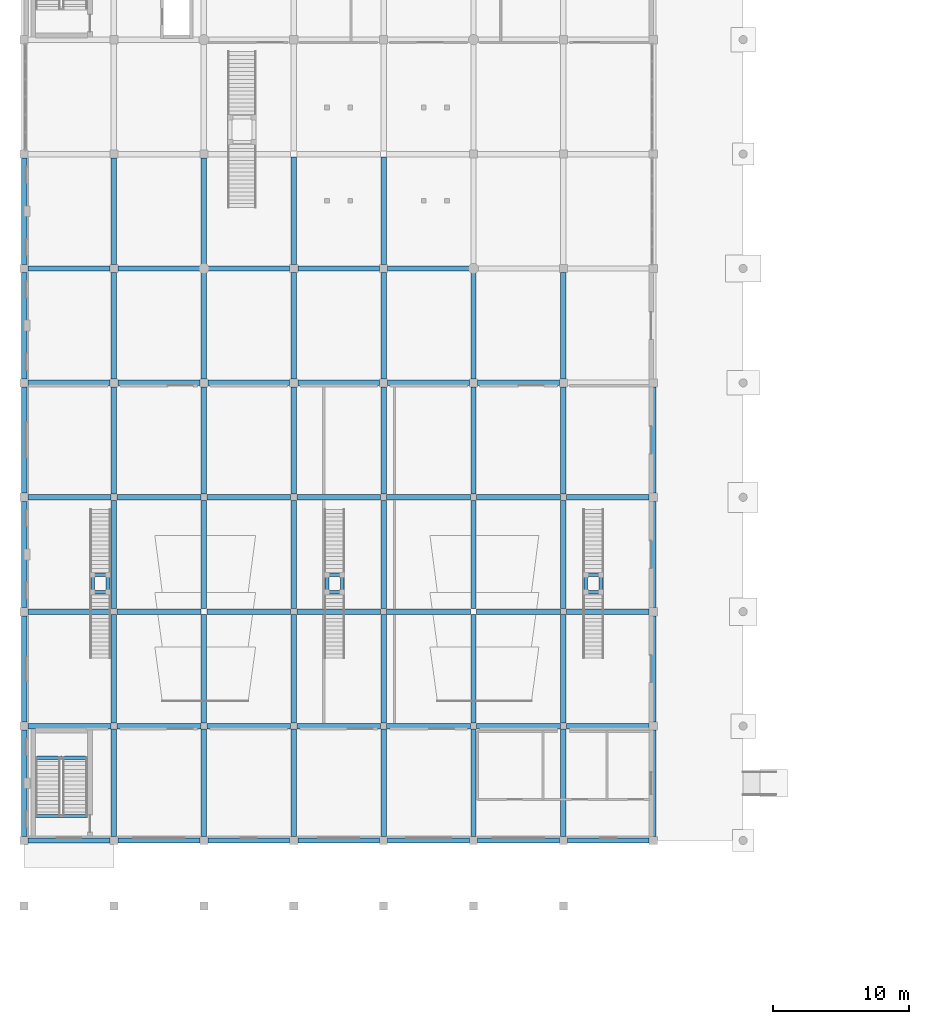
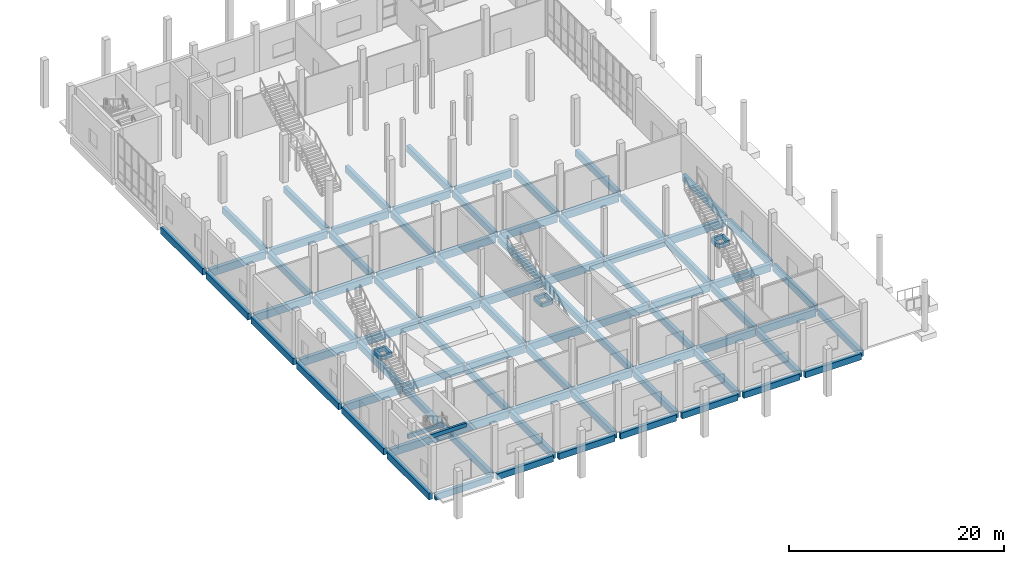
# One storey, part 4 of 64: 97 beams.
"""IFC4 building model written with IfcOpenShell, lengths in metres."""

from ifc_helpers import new_model, si_unit, direction, frame, origin, origin_2d, place, context, subcontext, project, spatial, rectangle, extrude, material, material_profile, profile_set, type_object, element, save


model = new_model("IFC4")

# Units and contexts
model_context = context("Model", 3, precision=1e-05, world=origin(), true_north=direction((0.0, 1.0)))
body_context = subcontext(model_context, "Body", "Model", "MODEL_VIEW")
ifc_project = project(units=[si_unit("LENGTHUNIT", "METRE"), si_unit("AREAUNIT", "SQUARE_METRE"), si_unit("VOLUMEUNIT", "CUBIC_METRE"), si_unit("PLANEANGLEUNIT", "RADIAN"), si_unit("MASSUNIT", "GRAM", prefix="KILO")], contexts=[model_context])

# Site, building, storey
site_placement = place(None, origin())
site = spatial("IfcSite", under=ifc_project, at=site_placement, CompositionType="ELEMENT")
building_placement = place(site_placement, origin())
building = spatial("IfcBuilding", under=site, at=building_placement, Name="Qaldarim Faculty of Natural and Applied Sciences", CompositionType="ELEMENT")
storey_placement = place(building_placement, origin())
storey = spatial("IfcBuildingStorey", under=building, at=storey_placement, Name="L00", CompositionType="ELEMENT", Elevation=0.0)

# Beams
ifc_material_1 = material(Name="Concrete C50/60", Category="concrete")
ifc_material_profile_1 = material_profile(ifc_material_1, rectangle(XDim=0.39990234375, YDim=0.75, at=origin_2d()), Name="RC-B400x750")
ifc_profile_set_1 = profile_set([ifc_material_profile_1], Name="Concrete C50/60")
beam_type_1 = type_object("IfcBeamType", Name="LabGirder-RC400x750", PredefinedType="BEAM", material=ifc_profile_set_1)
beam_1_placement = place(storey_placement, frame((0.0, 17.10009765625, -0.735107421875), z_axis=(0.0, 1.0, 0.0), x_axis=(-1.0, 0.0, 0.0)))
element("IfcBeam", 1, at=beam_1_placement, inside=storey, type_object=beam_type_1, Name="Beam RC-B400x750 B01 X01/Y03-Y04", PredefinedType="BEAM", context=body_context, shape_type="SweptSolid", body=[
    extrude(rectangle(XDim=0.39990234375, YDim=0.75, at=origin_2d()), origin(), (0.0, 0.0, 1.0), 7.7998046875),
])
for number, where, z_axis, x_axis, name in (
    (2, (0.0, 25.5, -0.735107421875), (0.0, 1.0, 0.0), (-1.0, 0.0, 0.0), "Beam RC-B400x750 B01 X01/Y04-Y05"),
    (3, (0.0, 33.89990234375, -0.735107421875), (0.0, 1.0, 0.0), (-1.0, 0.0, 0.0), "Beam RC-B400x750 B01 X01/Y05-Y06"),
    (4, (0.0, 42.300048828125, -0.735107421875), (0.0, 1.0, 0.0), (-1.0, 0.0, 0.0), "Beam RC-B400x750 B01 X01/Y06-Y07"),
    (5, (0.0, 50.699951171875, -0.735107421875), (0.0, 1.0, 0.0), (-1.0, 0.0, 0.0), "Beam RC-B400x750 B01 X01/Y07-Y08"),
):
    element("IfcBeam", number, at=place(storey_placement, frame(where, z_axis=z_axis, x_axis=x_axis)), inside=storey, type_object=beam_type_1, Name=name, PredefinedType="BEAM", context=body_context, shape_type="SweptSolid", body=[
        extrude(rectangle(XDim=0.39990234375, YDim=0.75, at=origin_2d()), origin(), (0.0, 0.0, 1.0), 7.800048828125),
    ])
beam_2_placement = place(storey_placement, frame((0.0, 59.10009765625, -0.735107421875), z_axis=(0.0, 1.0, 0.0), x_axis=(-1.0, 0.0, 0.0)))
element("IfcBeam", 6, at=beam_2_placement, inside=storey, type_object=beam_type_1, Name="Beam RC-B400x750 B01 X01/Y08-Y09", PredefinedType="BEAM", context=body_context, shape_type="SweptSolid", body=[
    extrude(rectangle(XDim=0.39990234375, YDim=0.75, at=origin_2d()), origin(), (0.0, 0.0, 1.0), 7.7998046875),
])
beam_3_placement = place(storey_placement, frame((6.60009765625, 17.10009765625, -0.735107421875), z_axis=(0.0, 1.0, 0.0), x_axis=(-1.0, 0.0, 0.0)))
element("IfcBeam", 7, at=beam_3_placement, inside=storey, type_object=beam_type_1, Name="Beam RC-B400x750 B01 X02/Y03-Y04", PredefinedType="BEAM", context=body_context, shape_type="SweptSolid", body=[
    extrude(rectangle(XDim=0.39990234375, YDim=0.75, at=origin_2d()), origin(), (0.0, 0.0, 1.0), 7.875),
])
for number, where, z_axis, x_axis, name in (
    (8, (6.60009765625, 25.425048828125, -0.735107421875), (0.0, 1.0, 0.0), (-1.0, 0.0, 0.0), "Beam RC-B400x750 B01 X02/Y04-Y05"),
    (9, (6.60009765625, 33.824951171875, -0.735107421875), (0.0, 1.0, 0.0), (-1.0, 0.0, 0.0), "Beam RC-B400x750 B01 X02/Y05-Y06"),
):
    element("IfcBeam", number, at=place(storey_placement, frame(where, z_axis=z_axis, x_axis=x_axis)), inside=storey, type_object=beam_type_1, Name=name, PredefinedType="BEAM", context=body_context, shape_type="SweptSolid", body=[
        extrude(rectangle(XDim=0.39990234375, YDim=0.75, at=origin_2d()), origin(), (0.0, 0.0, 1.0), 7.949951171875),
    ])
beam_4_placement = place(storey_placement, frame((6.60009765625, 42.22509765625, -0.735107421875), z_axis=(0.0, 1.0, 0.0), x_axis=(-1.0, 0.0, 0.0)))
element("IfcBeam", 10, at=beam_4_placement, inside=storey, type_object=beam_type_1, Name="Beam RC-B400x750 B01 X02/Y06-Y07", PredefinedType="BEAM", context=body_context, shape_type="SweptSolid", body=[
    extrude(rectangle(XDim=0.39990234375, YDim=0.75, at=origin_2d()), origin(), (0.0, 0.0, 1.0), 7.875),
])
beam_5_placement = place(storey_placement, frame((6.60009765625, 50.699951171875, -0.735107421875), z_axis=(0.0, 1.0, 0.0), x_axis=(-1.0, 0.0, 0.0)))
element("IfcBeam", 11, at=beam_5_placement, inside=storey, type_object=beam_type_1, Name="Beam RC-B400x750 B01 X02/Y07-Y08", PredefinedType="BEAM", context=body_context, shape_type="SweptSolid", body=[
    extrude(rectangle(XDim=0.39990234375, YDim=0.75, at=origin_2d()), origin(), (0.0, 0.0, 1.0), 7.800048828125),
])
beam_6_placement = place(storey_placement, frame((6.60009765625, 59.10009765625, -0.735107421875), z_axis=(0.0, 1.0, 0.0), x_axis=(-1.0, 0.0, 0.0)))
element("IfcBeam", 12, at=beam_6_placement, inside=storey, type_object=beam_type_1, Name="Beam RC-B400x750 B01 X02/Y08-Y09", PredefinedType="BEAM", context=body_context, shape_type="SweptSolid", body=[
    extrude(rectangle(XDim=0.39990234375, YDim=0.75, at=origin_2d()), origin(), (0.0, 0.0, 1.0), 7.7998046875),
])
beam_7_placement = place(storey_placement, frame((13.199951171875, 17.10009765625, -0.735107421875), z_axis=(0.0, 1.0, 0.0), x_axis=(-1.0, 0.0, 0.0)))
element("IfcBeam", 13, at=beam_7_placement, inside=storey, type_object=beam_type_1, Name="Beam RC-B400x750 B01 X03/Y03-Y04", PredefinedType="BEAM", context=body_context, shape_type="SweptSolid", body=[
    extrude(rectangle(XDim=0.39990234375, YDim=0.75, at=origin_2d()), origin(), (0.0, 0.0, 1.0), 7.875),
])
for number, where, z_axis, x_axis, name in (
    (14, (13.199951171875, 25.425048828125, -0.735107421875), (0.0, 1.0, 0.0), (-1.0, 0.0, 0.0), "Beam RC-B400x750 B01 X03/Y04-Y05"),
    (15, (13.199951171875, 33.824951171875, -0.735107421875), (0.0, 1.0, 0.0), (-1.0, 0.0, 0.0), "Beam RC-B400x750 B01 X03/Y05-Y06"),
):
    element("IfcBeam", number, at=place(storey_placement, frame(where, z_axis=z_axis, x_axis=x_axis)), inside=storey, type_object=beam_type_1, Name=name, PredefinedType="BEAM", context=body_context, shape_type="SweptSolid", body=[
        extrude(rectangle(XDim=0.39990234375, YDim=0.75, at=origin_2d()), origin(), (0.0, 0.0, 1.0), 7.949951171875),
    ])
beam_8_placement = place(storey_placement, frame((13.199951171875, 42.22509765625, -0.735107421875), z_axis=(0.0, 1.0, 0.0), x_axis=(-1.0, 0.0, 0.0)))
element("IfcBeam", 16, at=beam_8_placement, inside=storey, type_object=beam_type_1, Name="Beam RC-B400x750 B01 X03/Y06-Y07", PredefinedType="BEAM", context=body_context, shape_type="SweptSolid", body=[
    extrude(rectangle(XDim=0.39990234375, YDim=0.75, at=origin_2d()), origin(), (0.0, 0.0, 1.0), 7.875),
])
beam_9_placement = place(storey_placement, frame((13.199951171875, 50.699951171875, -0.735107421875), z_axis=(0.0, 1.0, 0.0), x_axis=(-1.0, 0.0, 0.0)))
element("IfcBeam", 17, at=beam_9_placement, inside=storey, type_object=beam_type_1, Name="Beam RC-B400x750 B01 X03/Y07-Y08", PredefinedType="BEAM", context=body_context, shape_type="SweptSolid", body=[
    extrude(rectangle(XDim=0.39990234375, YDim=0.75, at=origin_2d()), origin(), (0.0, 0.0, 1.0), 7.800048828125),
])
beam_10_placement = place(storey_placement, frame((13.199951171875, 59.10009765625, -0.735107421875), z_axis=(0.0, 1.0, 0.0), x_axis=(-1.0, 0.0, 0.0)))
element("IfcBeam", 18, at=beam_10_placement, inside=storey, type_object=beam_type_1, Name="Beam RC-B400x750 B01 X03/Y08-Y09", PredefinedType="BEAM", context=body_context, shape_type="SweptSolid", body=[
    extrude(rectangle(XDim=0.39990234375, YDim=0.75, at=origin_2d()), origin(), (0.0, 0.0, 1.0), 7.7998046875),
])
beam_11_placement = place(storey_placement, frame((19.800048828125, 17.10009765625, -0.735107421875), z_axis=(0.0, 1.0, 0.0), x_axis=(-1.0, 0.0, 0.0)))
element("IfcBeam", 19, at=beam_11_placement, inside=storey, type_object=beam_type_1, Name="Beam RC-B400x750 B01 X04/Y03-Y04", PredefinedType="BEAM", context=body_context, shape_type="SweptSolid", body=[
    extrude(rectangle(XDim=0.39990234375, YDim=0.75, at=origin_2d()), origin(), (0.0, 0.0, 1.0), 7.875),
])
for number, where, z_axis, x_axis, name in (
    (20, (19.800048828125, 25.425048828125, -0.735107421875), (0.0, 1.0, 0.0), (-1.0, 0.0, 0.0), "Beam RC-B400x750 B01 X04/Y04-Y05"),
    (21, (19.800048828125, 33.824951171875, -0.735107421875), (0.0, 1.0, 0.0), (-1.0, 0.0, 0.0), "Beam RC-B400x750 B01 X04/Y05-Y06"),
):
    element("IfcBeam", number, at=place(storey_placement, frame(where, z_axis=z_axis, x_axis=x_axis)), inside=storey, type_object=beam_type_1, Name=name, PredefinedType="BEAM", context=body_context, shape_type="SweptSolid", body=[
        extrude(rectangle(XDim=0.39990234375, YDim=0.75, at=origin_2d()), origin(), (0.0, 0.0, 1.0), 7.949951171875),
    ])
beam_12_placement = place(storey_placement, frame((19.800048828125, 42.22509765625, -0.735107421875), z_axis=(0.0, 1.0, 0.0), x_axis=(-1.0, 0.0, 0.0)))
element("IfcBeam", 22, at=beam_12_placement, inside=storey, type_object=beam_type_1, Name="Beam RC-B400x750 B01 X04/Y06-Y07", PredefinedType="BEAM", context=body_context, shape_type="SweptSolid", body=[
    extrude(rectangle(XDim=0.39990234375, YDim=0.75, at=origin_2d()), origin(), (0.0, 0.0, 1.0), 7.875),
])
beam_13_placement = place(storey_placement, frame((19.800048828125, 50.699951171875, -0.735107421875), z_axis=(0.0, 1.0, 0.0), x_axis=(-1.0, 0.0, 0.0)))
element("IfcBeam", 23, at=beam_13_placement, inside=storey, type_object=beam_type_1, Name="Beam RC-B400x750 B01 X04/Y07-Y08", PredefinedType="BEAM", context=body_context, shape_type="SweptSolid", body=[
    extrude(rectangle(XDim=0.39990234375, YDim=0.75, at=origin_2d()), origin(), (0.0, 0.0, 1.0), 7.800048828125),
])
for number, where, z_axis, x_axis, name in (
    (24, (19.800048828125, 59.10009765625, -0.735107421875), (0.0, 1.0, 0.0), (-1.0, 0.0, 0.0), "Beam RC-B400x750 B01 X04/Y08-Y09"),
    (25, (26.39990234375, 17.10009765625, -0.735107421875), (0.0, 1.0, 0.0), (-1.0, 0.0, 0.0), "Beam RC-B400x750 B01 X05/Y03-Y04"),
):
    element("IfcBeam", number, at=place(storey_placement, frame(where, z_axis=z_axis, x_axis=x_axis)), inside=storey, type_object=beam_type_1, Name=name, PredefinedType="BEAM", context=body_context, shape_type="SweptSolid", body=[
        extrude(rectangle(XDim=0.39990234375, YDim=0.75, at=origin_2d()), origin(), (0.0, 0.0, 1.0), 7.875),
    ])
for number, where, z_axis, x_axis, name in (
    (26, (26.39990234375, 25.425048828125, -0.735107421875), (0.0, 1.0, 0.0), (-1.0, 0.0, 0.0), "Beam RC-B400x750 B01 X05/Y04-Y05"),
    (27, (26.39990234375, 33.824951171875, -0.735107421875), (0.0, 1.0, 0.0), (-1.0, 0.0, 0.0), "Beam RC-B400x750 B01 X05/Y05-Y06"),
):
    element("IfcBeam", number, at=place(storey_placement, frame(where, z_axis=z_axis, x_axis=x_axis)), inside=storey, type_object=beam_type_1, Name=name, PredefinedType="BEAM", context=body_context, shape_type="SweptSolid", body=[
        extrude(rectangle(XDim=0.39990234375, YDim=0.75, at=origin_2d()), origin(), (0.0, 0.0, 1.0), 7.949951171875),
    ])
beam_14_placement = place(storey_placement, frame((26.39990234375, 42.22509765625, -0.735107421875), z_axis=(0.0, 1.0, 0.0), x_axis=(-1.0, 0.0, 0.0)))
element("IfcBeam", 28, at=beam_14_placement, inside=storey, type_object=beam_type_1, Name="Beam RC-B400x750 B01 X05/Y06-Y07", PredefinedType="BEAM", context=body_context, shape_type="SweptSolid", body=[
    extrude(rectangle(XDim=0.39990234375, YDim=0.75, at=origin_2d()), origin(), (0.0, 0.0, 1.0), 7.875),
])
beam_15_placement = place(storey_placement, frame((26.39990234375, 50.699951171875, -0.735107421875), z_axis=(0.0, 1.0, 0.0), x_axis=(-1.0, 0.0, 0.0)))
element("IfcBeam", 29, at=beam_15_placement, inside=storey, type_object=beam_type_1, Name="Beam RC-B400x750 B01 X05/Y07-Y08", PredefinedType="BEAM", context=body_context, shape_type="SweptSolid", body=[
    extrude(rectangle(XDim=0.39990234375, YDim=0.75, at=origin_2d()), origin(), (0.0, 0.0, 1.0), 7.800048828125),
])
for number, where, z_axis, x_axis, name in (
    (30, (26.39990234375, 59.10009765625, -0.735107421875), (0.0, 1.0, 0.0), (-1.0, 0.0, 0.0), "Beam RC-B400x750 B01 X05/Y08-Y09"),
    (31, (33.0, 17.10009765625, -0.735107421875), (0.0, 1.0, 0.0), (-1.0, 0.0, 0.0), "Beam RC-B400x750 B01 X06/Y03-Y04"),
):
    element("IfcBeam", number, at=place(storey_placement, frame(where, z_axis=z_axis, x_axis=x_axis)), inside=storey, type_object=beam_type_1, Name=name, PredefinedType="BEAM", context=body_context, shape_type="SweptSolid", body=[
        extrude(rectangle(XDim=0.39990234375, YDim=0.75, at=origin_2d()), origin(), (0.0, 0.0, 1.0), 7.875),
    ])
for number, where, z_axis, x_axis, name in (
    (32, (33.0, 25.425048828125, -0.735107421875), (0.0, 1.0, 0.0), (-1.0, 0.0, 0.0), "Beam RC-B400x750 B01 X06/Y04-Y05"),
    (33, (33.0, 33.824951171875, -0.735107421875), (0.0, 1.0, 0.0), (-1.0, 0.0, 0.0), "Beam RC-B400x750 B01 X06/Y05-Y06"),
):
    element("IfcBeam", number, at=place(storey_placement, frame(where, z_axis=z_axis, x_axis=x_axis)), inside=storey, type_object=beam_type_1, Name=name, PredefinedType="BEAM", context=body_context, shape_type="SweptSolid", body=[
        extrude(rectangle(XDim=0.39990234375, YDim=0.75, at=origin_2d()), origin(), (0.0, 0.0, 1.0), 7.949951171875),
    ])
beam_16_placement = place(storey_placement, frame((33.0, 42.22509765625, -0.735107421875), z_axis=(0.0, 1.0, 0.0), x_axis=(-1.0, 0.0, 0.0)))
element("IfcBeam", 34, at=beam_16_placement, inside=storey, type_object=beam_type_1, Name="Beam RC-B400x750 B01 X06/Y06-Y07", PredefinedType="BEAM", context=body_context, shape_type="SweptSolid", body=[
    extrude(rectangle(XDim=0.39990234375, YDim=0.75, at=origin_2d()), origin(), (0.0, 0.0, 1.0), 7.875),
])
beam_17_placement = place(storey_placement, frame((33.0, 50.699951171875, -0.735107421875), z_axis=(0.0, 1.0, 0.0), x_axis=(-1.0, 0.0, 0.0)))
element("IfcBeam", 35, at=beam_17_placement, inside=storey, type_object=beam_type_1, Name="Beam RC-B400x750 B01 X06/Y07-Y08", PredefinedType="BEAM", context=body_context, shape_type="SweptSolid", body=[
    extrude(rectangle(XDim=0.39990234375, YDim=0.75, at=origin_2d()), origin(), (0.0, 0.0, 1.0), 7.800048828125),
])
beam_18_placement = place(storey_placement, frame((39.60009765625, 17.10009765625, -0.735107421875), z_axis=(0.0, 1.0, 0.0), x_axis=(-1.0, 0.0, 0.0)))
element("IfcBeam", 36, at=beam_18_placement, inside=storey, type_object=beam_type_1, Name="Beam RC-B400x750 B01 X07/Y03-Y04", PredefinedType="BEAM", context=body_context, shape_type="SweptSolid", body=[
    extrude(rectangle(XDim=0.39990234375, YDim=0.75, at=origin_2d()), origin(), (0.0, 0.0, 1.0), 7.875),
])
for number, where, z_axis, x_axis, name in (
    (37, (39.60009765625, 25.425048828125, -0.735107421875), (0.0, 1.0, 0.0), (-1.0, 0.0, 0.0), "Beam RC-B400x750 B01 X07/Y04-Y05"),
    (38, (39.60009765625, 33.824951171875, -0.735107421875), (0.0, 1.0, 0.0), (-1.0, 0.0, 0.0), "Beam RC-B400x750 B01 X07/Y05-Y06"),
):
    element("IfcBeam", number, at=place(storey_placement, frame(where, z_axis=z_axis, x_axis=x_axis)), inside=storey, type_object=beam_type_1, Name=name, PredefinedType="BEAM", context=body_context, shape_type="SweptSolid", body=[
        extrude(rectangle(XDim=0.39990234375, YDim=0.75, at=origin_2d()), origin(), (0.0, 0.0, 1.0), 7.949951171875),
    ])
beam_19_placement = place(storey_placement, frame((39.60009765625, 42.22509765625, -0.735107421875), z_axis=(0.0, 1.0, 0.0), x_axis=(-1.0, 0.0, 0.0)))
element("IfcBeam", 39, at=beam_19_placement, inside=storey, type_object=beam_type_1, Name="Beam RC-B400x750 B01 X07/Y06-Y07", PredefinedType="BEAM", context=body_context, shape_type="SweptSolid", body=[
    extrude(rectangle(XDim=0.39990234375, YDim=0.75, at=origin_2d()), origin(), (0.0, 0.0, 1.0), 7.875),
])
beam_20_placement = place(storey_placement, frame((39.60009765625, 50.699951171875, -0.735107421875), z_axis=(0.0, 1.0, 0.0), x_axis=(-1.0, 0.0, 0.0)))
element("IfcBeam", 40, at=beam_20_placement, inside=storey, type_object=beam_type_1, Name="Beam RC-B400x750 B01 X07/Y07-Y08", PredefinedType="BEAM", context=body_context, shape_type="SweptSolid", body=[
    extrude(rectangle(XDim=0.39990234375, YDim=0.75, at=origin_2d()), origin(), (0.0, 0.0, 1.0), 7.800048828125),
])
beam_21_placement = place(storey_placement, frame((46.199951171875, 17.10009765625, -0.735107421875), z_axis=(0.0, 1.0, 0.0), x_axis=(-1.0, 0.0, 0.0)))
element("IfcBeam", 41, at=beam_21_placement, inside=storey, type_object=beam_type_1, Name="Beam RC-B400x750 B01 X08/Y03-Y04", PredefinedType="BEAM", context=body_context, shape_type="SweptSolid", body=[
    extrude(rectangle(XDim=0.39990234375, YDim=0.75, at=origin_2d()), origin(), (0.0, 0.0, 1.0), 7.7998046875),
])
for number, where, z_axis, x_axis, name in (
    (42, (46.199951171875, 25.5, -0.735107421875), (0.0, 1.0, 0.0), (-1.0, 0.0, 0.0), "Beam RC-B400x750 B01 X08/Y04-Y05"),
    (43, (46.199951171875, 33.89990234375, -0.735107421875), (0.0, 1.0, 0.0), (-1.0, 0.0, 0.0), "Beam RC-B400x750 B01 X08/Y05-Y06"),
    (44, (46.199951171875, 42.300048828125, -0.735107421875), (0.0, 1.0, 0.0), (-1.0, 0.0, 0.0), "Beam RC-B400x750 B01 X08/Y06-Y07"),
):
    element("IfcBeam", number, at=place(storey_placement, frame(where, z_axis=z_axis, x_axis=x_axis)), inside=storey, type_object=beam_type_1, Name=name, PredefinedType="BEAM", context=body_context, shape_type="SweptSolid", body=[
        extrude(rectangle(XDim=0.39990234375, YDim=0.75, at=origin_2d()), origin(), (0.0, 0.0, 1.0), 7.800048828125),
    ])
ifc_material_2 = material(Name="Concrete C40/50", Category="concrete")
ifc_material_profile_2 = material_profile(ifc_material_2, rectangle(XDim=0.25, YDim=0.449951171875, at=origin_2d()), Name="RC-LN250x450")
ifc_profile_set_2 = profile_set([ifc_material_profile_2], Name="Concrete C40/50")
beam_type_2 = type_object("IfcBeamType", Name="LandingSupportBeam-RC250x450", PredefinedType="BEAM", material=ifc_profile_set_2)
for number, where, z_axis, x_axis, name in (
    (45, (0.85009765625, 22.875, 2.264892578125), (1.0, 0.0, 0.0), (0.0, 1.0, 0.0), "Stair landing support beam ST-D1 L00"),
    (46, (0.85009765625, 18.60009765625, 4.875), (1.0, 0.0, 0.0), (0.0, 1.0, 0.0), "Stair arrival support beam ST-D1 L00"),
):
    element("IfcBeam", number, at=place(storey_placement, frame(where, z_axis=z_axis, x_axis=x_axis)), inside=storey, type_object=beam_type_2, Name=name, PredefinedType="BEAM", context=body_context, shape_type="SweptSolid", body=[
        extrude(rectangle(XDim=0.25, YDim=0.449951171875, at=origin_2d()), origin(), (0.0, 0.0, 1.0), 3.7998046875),
    ])
for number, where, z_axis, x_axis, name in (
    (47, (22.25, 35.0400390625, 2.264892578125), (1.0, 0.0, 0.0), (0.0, 1.0, 0.0), "Open stair landing beam ST-VM1-L00 S"),
    (48, (22.25, 36.2900390625, 2.264892578125), (1.0, 0.0, 0.0), (0.0, 1.0, 0.0), "Open stair landing beam ST-VM1-L00 N"),
):
    element("IfcBeam", number, at=place(storey_placement, frame(where, z_axis=z_axis, x_axis=x_axis)), inside=storey, type_object=beam_type_2, Name=name, PredefinedType="BEAM", context=body_context, shape_type="SweptSolid", body=[
        extrude(rectangle(XDim=0.25, YDim=0.449951171875, at=origin_2d()), origin(), (0.0, 0.0, 1.0), 1.10009765625),
    ])
for number, where, z_axis, x_axis, name in (
    (49, (22.25, 35.0400390625, 2.264892578125), (0.0, 1.0, 0.0), (-1.0, 0.0, 0.0), "Open stair landing beam ST-VM1-L00 W"),
    (50, (23.35009765625, 35.0400390625, 2.264892578125), (0.0, 1.0, 0.0), (-1.0, 0.0, 0.0), "Open stair landing beam ST-VM1-L00 E"),
):
    element("IfcBeam", number, at=place(storey_placement, frame(where, z_axis=z_axis, x_axis=x_axis)), inside=storey, type_object=beam_type_2, Name=name, PredefinedType="BEAM", context=body_context, shape_type="SweptSolid", body=[
        extrude(rectangle(XDim=0.25, YDim=0.449951171875, at=origin_2d()), origin(), (0.0, 0.0, 1.0), 1.25),
    ])
for number, where, z_axis, x_axis, name in (
    (51, (41.25, 35.0400390625, 2.264892578125), (1.0, 0.0, 0.0), (0.0, 1.0, 0.0), "Open stair landing beam ST-VM2-L00 S"),
    (52, (41.25, 36.2900390625, 2.264892578125), (1.0, 0.0, 0.0), (0.0, 1.0, 0.0), "Open stair landing beam ST-VM2-L00 N"),
):
    element("IfcBeam", number, at=place(storey_placement, frame(where, z_axis=z_axis, x_axis=x_axis)), inside=storey, type_object=beam_type_2, Name=name, PredefinedType="BEAM", context=body_context, shape_type="SweptSolid", body=[
        extrude(rectangle(XDim=0.25, YDim=0.449951171875, at=origin_2d()), origin(), (0.0, 0.0, 1.0), 1.10009765625),
    ])
for number, where, z_axis, x_axis, name in (
    (53, (41.25, 35.0400390625, 2.264892578125), (0.0, 1.0, 0.0), (-1.0, 0.0, 0.0), "Open stair landing beam ST-VM2-L00 W"),
    (54, (42.35009765625, 35.0400390625, 2.264892578125), (0.0, 1.0, 0.0), (-1.0, 0.0, 0.0), "Open stair landing beam ST-VM2-L00 E"),
):
    element("IfcBeam", number, at=place(storey_placement, frame(where, z_axis=z_axis, x_axis=x_axis)), inside=storey, type_object=beam_type_2, Name=name, PredefinedType="BEAM", context=body_context, shape_type="SweptSolid", body=[
        extrude(rectangle(XDim=0.25, YDim=0.449951171875, at=origin_2d()), origin(), (0.0, 0.0, 1.0), 1.25),
    ])
for number, where, z_axis, x_axis, name in (
    (55, (5.050048828125, 35.0400390625, 2.264892578125), (1.0, 0.0, 0.0), (0.0, 1.0, 0.0), "Open stair landing beam ST-VM3-L00 S"),
    (56, (5.050048828125, 36.2900390625, 2.264892578125), (1.0, 0.0, 0.0), (0.0, 1.0, 0.0), "Open stair landing beam ST-VM3-L00 N"),
):
    element("IfcBeam", number, at=place(storey_placement, frame(where, z_axis=z_axis, x_axis=x_axis)), inside=storey, type_object=beam_type_2, Name=name, PredefinedType="BEAM", context=body_context, shape_type="SweptSolid", body=[
        extrude(rectangle(XDim=0.25, YDim=0.449951171875, at=origin_2d()), origin(), (0.0, 0.0, 1.0), 1.099853515625),
    ])
for number, where, z_axis, x_axis, name in (
    (57, (5.050048828125, 35.0400390625, 2.264892578125), (0.0, 1.0, 0.0), (-1.0, 0.0, 0.0), "Open stair landing beam ST-VM3-L00 W"),
    (58, (6.14990234375, 35.0400390625, 2.264892578125), (0.0, 1.0, 0.0), (-1.0, 0.0, 0.0), "Open stair landing beam ST-VM3-L00 E"),
):
    element("IfcBeam", number, at=place(storey_placement, frame(where, z_axis=z_axis, x_axis=x_axis)), inside=storey, type_object=beam_type_2, Name=name, PredefinedType="BEAM", context=body_context, shape_type="SweptSolid", body=[
        extrude(rectangle(XDim=0.25, YDim=0.449951171875, at=origin_2d()), origin(), (0.0, 0.0, 1.0), 1.25),
    ])
ifc_material_profile_3 = material_profile(ifc_material_1, rectangle(XDim=0.39990234375, YDim=0.85009765625, at=origin_2d()), Name="RC-B400x850")
ifc_profile_set_3 = profile_set([ifc_material_profile_3], Name="Concrete C50/60")
beam_type_3 = type_object("IfcBeamType", Name="PodiumGirder-RC400x850", PredefinedType="BEAM", material=ifc_profile_set_3)
beam_22_placement = place(storey_placement, frame((0.300048828125, 25.199951171875, -0.784912109375), z_axis=(1.0, 0.0, 0.0), x_axis=(0.0, 1.0, 0.0)))
element("IfcBeam", 59, at=beam_22_placement, inside=storey, type_object=beam_type_3, Name="Beam RC-B400x850 B01 X01-X02/Y04", PredefinedType="BEAM", context=body_context, shape_type="SweptSolid", body=[
    extrude(rectangle(XDim=0.39990234375, YDim=0.85009765625, at=origin_2d()), origin(), (0.0, 0.0, 1.0), 6.074951171875),
])
beam_23_placement = place(storey_placement, frame((6.824951171875, 25.199951171875, -0.784912109375), z_axis=(1.0, 0.0, 0.0), x_axis=(0.0, 1.0, 0.0)))
element("IfcBeam", 60, at=beam_23_placement, inside=storey, type_object=beam_type_3, Name="Beam RC-B400x850 B01 X02-X03/Y04", PredefinedType="BEAM", context=body_context, shape_type="SweptSolid", body=[
    extrude(rectangle(XDim=0.39990234375, YDim=0.85009765625, at=origin_2d()), origin(), (0.0, 0.0, 1.0), 6.150146484375),
])
beam_24_placement = place(storey_placement, frame((13.425048828125, 25.199951171875, -0.784912109375), z_axis=(1.0, 0.0, 0.0), x_axis=(0.0, 1.0, 0.0)))
element("IfcBeam", 61, at=beam_24_placement, inside=storey, type_object=beam_type_3, Name="Beam RC-B400x850 B01 X03-X04/Y04", PredefinedType="BEAM", context=body_context, shape_type="SweptSolid", body=[
    extrude(rectangle(XDim=0.39990234375, YDim=0.85009765625, at=origin_2d()), origin(), (0.0, 0.0, 1.0), 6.14990234375),
])
beam_25_placement = place(storey_placement, frame((20.02490234375, 25.199951171875, -0.784912109375), z_axis=(1.0, 0.0, 0.0), x_axis=(0.0, 1.0, 0.0)))
element("IfcBeam", 62, at=beam_25_placement, inside=storey, type_object=beam_type_3, Name="Beam RC-B400x850 B01 X04-X05/Y04", PredefinedType="BEAM", context=body_context, shape_type="SweptSolid", body=[
    extrude(rectangle(XDim=0.39990234375, YDim=0.85009765625, at=origin_2d()), origin(), (0.0, 0.0, 1.0), 6.150146484375),
])
for number, where, z_axis, x_axis, name in (
    (63, (26.625, 25.199951171875, -0.784912109375), (1.0, 0.0, 0.0), (0.0, 1.0, 0.0), "Beam RC-B400x850 B01 X05-X06/Y04"),
    (64, (33.22509765625, 25.199951171875, -0.784912109375), (1.0, 0.0, 0.0), (0.0, 1.0, 0.0), "Beam RC-B400x850 B01 X06-X07/Y04"),
):
    element("IfcBeam", number, at=place(storey_placement, frame(where, z_axis=z_axis, x_axis=x_axis)), inside=storey, type_object=beam_type_3, Name=name, PredefinedType="BEAM", context=body_context, shape_type="SweptSolid", body=[
        extrude(rectangle(XDim=0.39990234375, YDim=0.85009765625, at=origin_2d()), origin(), (0.0, 0.0, 1.0), 6.14990234375),
    ])
for number, where, z_axis, x_axis, name in (
    (65, (39.824951171875, 25.199951171875, -0.784912109375), (1.0, 0.0, 0.0), (0.0, 1.0, 0.0), "Beam RC-B400x850 B01 X07-X08/Y04"),
    (66, (0.300048828125, 33.60009765625, -0.784912109375), (1.0, 0.0, 0.0), (0.0, 1.0, 0.0), "Beam RC-B400x850 B01 X01-X02/Y05"),
):
    element("IfcBeam", number, at=place(storey_placement, frame(where, z_axis=z_axis, x_axis=x_axis)), inside=storey, type_object=beam_type_3, Name=name, PredefinedType="BEAM", context=body_context, shape_type="SweptSolid", body=[
        extrude(rectangle(XDim=0.39990234375, YDim=0.85009765625, at=origin_2d()), origin(), (0.0, 0.0, 1.0), 6.074951171875),
    ])
beam_26_placement = place(storey_placement, frame((6.824951171875, 33.60009765625, -0.784912109375), z_axis=(1.0, 0.0, 0.0), x_axis=(0.0, 1.0, 0.0)))
element("IfcBeam", 67, at=beam_26_placement, inside=storey, type_object=beam_type_3, Name="Beam RC-B400x850 B01 X02-X03/Y05", PredefinedType="BEAM", context=body_context, shape_type="SweptSolid", body=[
    extrude(rectangle(XDim=0.39990234375, YDim=0.85009765625, at=origin_2d()), origin(), (0.0, 0.0, 1.0), 6.150146484375),
])
beam_27_placement = place(storey_placement, frame((13.425048828125, 33.60009765625, -0.784912109375), z_axis=(1.0, 0.0, 0.0), x_axis=(0.0, 1.0, 0.0)))
element("IfcBeam", 68, at=beam_27_placement, inside=storey, type_object=beam_type_3, Name="Beam RC-B400x850 B01 X03-X04/Y05", PredefinedType="BEAM", context=body_context, shape_type="SweptSolid", body=[
    extrude(rectangle(XDim=0.39990234375, YDim=0.85009765625, at=origin_2d()), origin(), (0.0, 0.0, 1.0), 6.14990234375),
])
beam_28_placement = place(storey_placement, frame((20.02490234375, 33.60009765625, -0.784912109375), z_axis=(1.0, 0.0, 0.0), x_axis=(0.0, 1.0, 0.0)))
element("IfcBeam", 69, at=beam_28_placement, inside=storey, type_object=beam_type_3, Name="Beam RC-B400x850 B01 X04-X05/Y05", PredefinedType="BEAM", context=body_context, shape_type="SweptSolid", body=[
    extrude(rectangle(XDim=0.39990234375, YDim=0.85009765625, at=origin_2d()), origin(), (0.0, 0.0, 1.0), 6.150146484375),
])
for number, where, z_axis, x_axis, name in (
    (70, (26.625, 33.60009765625, -0.784912109375), (1.0, 0.0, 0.0), (0.0, 1.0, 0.0), "Beam RC-B400x850 B01 X05-X06/Y05"),
    (71, (33.22509765625, 33.60009765625, -0.784912109375), (1.0, 0.0, 0.0), (0.0, 1.0, 0.0), "Beam RC-B400x850 B01 X06-X07/Y05"),
):
    element("IfcBeam", number, at=place(storey_placement, frame(where, z_axis=z_axis, x_axis=x_axis)), inside=storey, type_object=beam_type_3, Name=name, PredefinedType="BEAM", context=body_context, shape_type="SweptSolid", body=[
        extrude(rectangle(XDim=0.39990234375, YDim=0.85009765625, at=origin_2d()), origin(), (0.0, 0.0, 1.0), 6.14990234375),
    ])
for number, where, z_axis, x_axis, name in (
    (72, (39.824951171875, 33.60009765625, -0.784912109375), (1.0, 0.0, 0.0), (0.0, 1.0, 0.0), "Beam RC-B400x850 B01 X07-X08/Y05"),
    (73, (0.300048828125, 42.0, -0.784912109375), (1.0, 0.0, 0.0), (0.0, 1.0, 0.0), "Beam RC-B400x850 B01 X01-X02/Y06"),
):
    element("IfcBeam", number, at=place(storey_placement, frame(where, z_axis=z_axis, x_axis=x_axis)), inside=storey, type_object=beam_type_3, Name=name, PredefinedType="BEAM", context=body_context, shape_type="SweptSolid", body=[
        extrude(rectangle(XDim=0.39990234375, YDim=0.85009765625, at=origin_2d()), origin(), (0.0, 0.0, 1.0), 6.074951171875),
    ])
beam_29_placement = place(storey_placement, frame((6.824951171875, 42.0, -0.784912109375), z_axis=(1.0, 0.0, 0.0), x_axis=(0.0, 1.0, 0.0)))
element("IfcBeam", 74, at=beam_29_placement, inside=storey, type_object=beam_type_3, Name="Beam RC-B400x850 B01 X02-X03/Y06", PredefinedType="BEAM", context=body_context, shape_type="SweptSolid", body=[
    extrude(rectangle(XDim=0.39990234375, YDim=0.85009765625, at=origin_2d()), origin(), (0.0, 0.0, 1.0), 6.150146484375),
])
beam_30_placement = place(storey_placement, frame((13.425048828125, 42.0, -0.784912109375), z_axis=(1.0, 0.0, 0.0), x_axis=(0.0, 1.0, 0.0)))
element("IfcBeam", 75, at=beam_30_placement, inside=storey, type_object=beam_type_3, Name="Beam RC-B400x850 B01 X03-X04/Y06", PredefinedType="BEAM", context=body_context, shape_type="SweptSolid", body=[
    extrude(rectangle(XDim=0.39990234375, YDim=0.85009765625, at=origin_2d()), origin(), (0.0, 0.0, 1.0), 6.14990234375),
])
beam_31_placement = place(storey_placement, frame((20.02490234375, 42.0, -0.784912109375), z_axis=(1.0, 0.0, 0.0), x_axis=(0.0, 1.0, 0.0)))
element("IfcBeam", 76, at=beam_31_placement, inside=storey, type_object=beam_type_3, Name="Beam RC-B400x850 B01 X04-X05/Y06", PredefinedType="BEAM", context=body_context, shape_type="SweptSolid", body=[
    extrude(rectangle(XDim=0.39990234375, YDim=0.85009765625, at=origin_2d()), origin(), (0.0, 0.0, 1.0), 6.150146484375),
])
for number, where, z_axis, x_axis, name in (
    (77, (26.625, 42.0, -0.784912109375), (1.0, 0.0, 0.0), (0.0, 1.0, 0.0), "Beam RC-B400x850 B01 X05-X06/Y06"),
    (78, (33.22509765625, 42.0, -0.784912109375), (1.0, 0.0, 0.0), (0.0, 1.0, 0.0), "Beam RC-B400x850 B01 X06-X07/Y06"),
):
    element("IfcBeam", number, at=place(storey_placement, frame(where, z_axis=z_axis, x_axis=x_axis)), inside=storey, type_object=beam_type_3, Name=name, PredefinedType="BEAM", context=body_context, shape_type="SweptSolid", body=[
        extrude(rectangle(XDim=0.39990234375, YDim=0.85009765625, at=origin_2d()), origin(), (0.0, 0.0, 1.0), 6.14990234375),
    ])
beam_32_placement = place(storey_placement, frame((39.824951171875, 42.0, -0.784912109375), z_axis=(1.0, 0.0, 0.0), x_axis=(0.0, 1.0, 0.0)))
element("IfcBeam", 79, at=beam_32_placement, inside=storey, type_object=beam_type_3, Name="Beam RC-B400x850 B01 X07-X08/Y06", PredefinedType="BEAM", context=body_context, shape_type="SweptSolid", body=[
    extrude(rectangle(XDim=0.39990234375, YDim=0.85009765625, at=origin_2d()), origin(), (0.0, 0.0, 1.0), 6.074951171875),
])
for number, where, z_axis, x_axis, name in (
    (80, (0.300048828125, 50.39990234375, -0.784912109375), (1.0, 0.0, 0.0), (0.0, 1.0, 0.0), "Beam RC-B400x850 B01 X01-X02/Y07"),
    (81, (6.89990234375, 50.39990234375, -0.784912109375), (1.0, 0.0, 0.0), (0.0, 1.0, 0.0), "Beam RC-B400x850 B01 X02-X03/Y07"),
    (82, (13.5, 50.39990234375, -0.784912109375), (1.0, 0.0, 0.0), (0.0, 1.0, 0.0), "Beam RC-B400x850 B01 X03-X04/Y07"),
    (83, (20.10009765625, 50.39990234375, -0.784912109375), (1.0, 0.0, 0.0), (0.0, 1.0, 0.0), "Beam RC-B400x850 B01 X04-X05/Y07"),
    (84, (26.699951171875, 50.39990234375, -0.784912109375), (1.0, 0.0, 0.0), (0.0, 1.0, 0.0), "Beam RC-B400x850 B01 X05-X06/Y07"),
    (85, (33.300048828125, 50.39990234375, -0.784912109375), (1.0, 0.0, 0.0), (0.0, 1.0, 0.0), "Beam RC-B400x850 B01 X06-X07/Y07"),
    (86, (0.300048828125, 58.800048828125, -0.784912109375), (1.0, 0.0, 0.0), (0.0, 1.0, 0.0), "Beam RC-B400x850 B01 X01-X02/Y08"),
    (87, (6.89990234375, 58.800048828125, -0.784912109375), (1.0, 0.0, 0.0), (0.0, 1.0, 0.0), "Beam RC-B400x850 B01 X02-X03/Y08"),
    (88, (13.5, 58.800048828125, -0.784912109375), (1.0, 0.0, 0.0), (0.0, 1.0, 0.0), "Beam RC-B400x850 B01 X03-X04/Y08"),
    (89, (20.10009765625, 58.800048828125, -0.784912109375), (1.0, 0.0, 0.0), (0.0, 1.0, 0.0), "Beam RC-B400x850 B01 X04-X05/Y08"),
    (90, (26.699951171875, 58.800048828125, -0.784912109375), (1.0, 0.0, 0.0), (0.0, 1.0, 0.0), "Beam RC-B400x850 B01 X05-X06/Y08"),
):
    element("IfcBeam", number, at=place(storey_placement, frame(where, z_axis=z_axis, x_axis=x_axis)), inside=storey, type_object=beam_type_3, Name=name, PredefinedType="BEAM", context=body_context, shape_type="SweptSolid", body=[
        extrude(rectangle(XDim=0.39990234375, YDim=0.85009765625, at=origin_2d()), origin(), (0.0, 0.0, 1.0), 6.0),
    ])
ifc_material_profile_4 = material_profile(ifc_material_2, rectangle(XDim=0.35009765625, YDim=0.699951171875, at=origin_2d()), Name="RC-B350x700")
ifc_profile_set_4 = profile_set([ifc_material_profile_4], Name="Concrete C40/50")
beam_type_4 = type_object("IfcBeamType", Name="PrimaryGirder-RC350x700", PredefinedType="BEAM", material=ifc_profile_set_4)
for number, where, z_axis, x_axis, name in (
    (91, (0.300048828125, 16.800048828125, -0.7099609375), (1.0, 0.0, 0.0), (0.0, 1.0, 0.0), "Beam RC-B350x700 B01 X01-X02/Y03"),
    (92, (6.89990234375, 16.800048828125, -0.7099609375), (1.0, 0.0, 0.0), (0.0, 1.0, 0.0), "Beam RC-B350x700 B01 X02-X03/Y03"),
    (93, (13.5, 16.800048828125, -0.7099609375), (1.0, 0.0, 0.0), (0.0, 1.0, 0.0), "Beam RC-B350x700 B01 X03-X04/Y03"),
    (94, (20.10009765625, 16.800048828125, -0.7099609375), (1.0, 0.0, 0.0), (0.0, 1.0, 0.0), "Beam RC-B350x700 B01 X04-X05/Y03"),
    (95, (26.699951171875, 16.800048828125, -0.7099609375), (1.0, 0.0, 0.0), (0.0, 1.0, 0.0), "Beam RC-B350x700 B01 X05-X06/Y03"),
    (96, (33.300048828125, 16.800048828125, -0.7099609375), (1.0, 0.0, 0.0), (0.0, 1.0, 0.0), "Beam RC-B350x700 B01 X06-X07/Y03"),
    (97, (39.89990234375, 16.800048828125, -0.7099609375), (1.0, 0.0, 0.0), (0.0, 1.0, 0.0), "Beam RC-B350x700 B01 X07-X08/Y03"),
):
    element("IfcBeam", number, at=place(storey_placement, frame(where, z_axis=z_axis, x_axis=x_axis)), inside=storey, type_object=beam_type_4, Name=name, PredefinedType="BEAM", context=body_context, shape_type="SweptSolid", body=[
        extrude(rectangle(XDim=0.35009765625, YDim=0.699951171875, at=origin_2d()), origin(), (0.0, 0.0, 1.0), 6.0),
    ])

save(model, "model.ifc")
